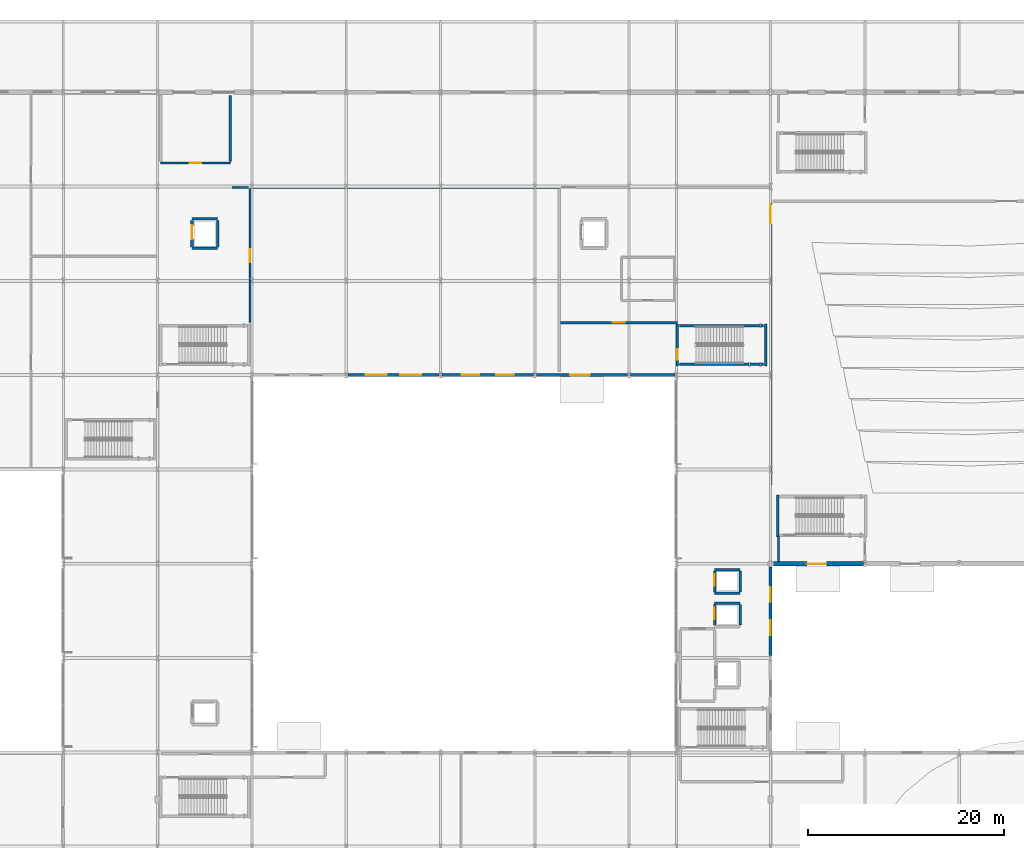
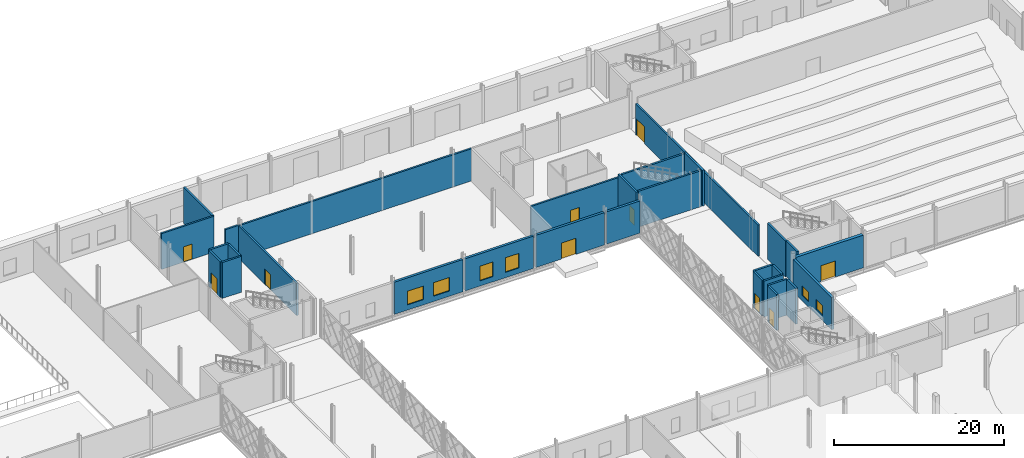
# One storey, part 56 of 84: 30 walls, 10 doors, 6 windows, 16 openings.
"""IFC4 building model written with IfcOpenShell, lengths in metres."""

from ifc_helpers import new_model, si_unit, direction, frame, frame_2d, origin, place, context, subcontext, project, spatial, rectangle, extrude, material, layer, layer_set, type_object, element, fill, save


model = new_model("IFC4")

# Units and contexts
model_context = context("Model", 3, precision=1e-05, world=origin(), true_north=direction((0.0, 1.0)))
body_context = subcontext(model_context, "Body", "Model", "MODEL_VIEW")
ifc_project = project(units=[si_unit("LENGTHUNIT", "METRE"), si_unit("AREAUNIT", "SQUARE_METRE"), si_unit("VOLUMEUNIT", "CUBIC_METRE"), si_unit("PLANEANGLEUNIT", "RADIAN"), si_unit("MASSUNIT", "GRAM", prefix="KILO")], contexts=[model_context])

# Site, building, storey
site_placement = place(None, origin())
site = spatial("IfcSite", under=ifc_project, at=site_placement, CompositionType="ELEMENT")
building_placement = place(site_placement, origin())
building = spatial("IfcBuilding", under=site, at=building_placement, Name="Zevrakil Square Congress Hotel", CompositionType="ELEMENT")
storey_placement = place(building_placement, origin())
storey = spatial("IfcBuildingStorey", under=building, at=storey_placement, Name="L01", CompositionType="ELEMENT", Elevation=0.0)

# Wall, opening, door
ifc_material_1 = material(Name="Concrete C35/45", Category="concrete")
ifc_layer_1 = layer(ifc_material_1, 0.239990234375)
ifc_layer_set_1 = layer_set([ifc_layer_1], Name="Concrete C35/45")
wall_type_1 = type_object("IfcWallType", Name="WAL-COMP-240", PredefinedType="SOLIDWALL", material=ifc_layer_set_1)
wall_1_placement = place(storey_placement, frame((55.5, 105.60009765625, 0.0), z_axis=(0.0, 0.0, 1.0), x_axis=(1.0, 0.0, 0.0)))
wall_1 = element("IfcWall", 1, at=wall_1_placement, inside=storey, type_object=wall_type_1, Name="L01 interior partition PW-L01-0121", PredefinedType="SOLIDWALL", context=body_context, shape_type="SweptSolid", body=[
    extrude(rectangle(XDim=7.10009765625, YDim=0.239990234375, at=frame_2d((3.550048828125, 0.0))), origin(), (0.0, 0.0, 1.0), 5.139892578125),
])
opening_1_placement = place(wall_1_placement, frame((2.949951171875, 0.0, 0.0)))
opening_1 = element("IfcOpeningElement", 2, at=opening_1_placement, cuts=wall_1, Name="Opening FD90", PredefinedType="OPENING", context=body_context, shape_type="SweptSolid", body=[
    extrude(rectangle(XDim=1.199951171875, YDim=2.199951171875, at=frame_2d((0.60009765625, 1.10009765625))), frame((0.0, 0.1298828125, 0.0), z_axis=(0.0, -1.0, 0.0), x_axis=(1.0, 0.0, 0.0)), (0.0, 0.0, 1.0), 0.260009765625),
])
ifc_material_2 = material(Name="Steel S355 Fire-Rated Door", Category="steel")
door_type_1 = type_object("IfcDoorType", Name="DOR-STAIR-FD90-120", OperationType="NOTDEFINED", PredefinedType="DOOR", material=ifc_material_2)
door_1_placement = place(opening_1_placement, origin())
door_1 = element("IfcDoor", 3, at=door_1_placement, inside=storey, type_object=door_type_1, Name="L01 interior door 44", OperationType="SINGLE_SWING_RIGHT", OverallHeight=2.199951171875, OverallWidth=1.199951171875, PredefinedType="DOOR", context=body_context, shape_type="SweptSolid", body=[
    extrude(rectangle(XDim=1.199951171875, YDim=2.199951171875, at=frame_2d((0.60009765625, 1.10009765625))), frame((0.0, 0.02490234375, 0.0), z_axis=(0.0, -1.0, 0.0), x_axis=(1.0, 0.0, 0.0)), (0.0, 0.0, 1.0), 0.050048828125),
])
fill(opening_1, door_1)

# Wall
wall_2_placement = place(storey_placement, frame((62.60009765625, 105.72509765625, 0.0), z_axis=(0.0, 0.0, 1.0), x_axis=(0.0, 1.0, 0.0)))
element("IfcWall", 4, at=wall_2_placement, inside=storey, type_object=wall_type_1, Name="L01 interior partition PW-L01-0123", PredefinedType="SOLIDWALL", context=body_context, shape_type="SweptSolid", body=[
    extrude(rectangle(XDim=6.72998046875, YDim=0.239990234375, at=frame_2d((3.364990234375, 0.0))), origin(), (0.0, 0.0, 1.0), 5.139892578125),
])

# Wall, opening, door
wall_3_placement = place(storey_placement, frame((117.60009765625, 72.800048828125, 0.0), z_axis=(0.0, 0.0, 1.0), x_axis=(0.0, 1.0, 0.0)))
wall_3 = element("IfcWall", 5, at=wall_3_placement, inside=storey, type_object=wall_type_1, Name="L01 interior partition PW-L01-0125", PredefinedType="SOLIDWALL", context=body_context, shape_type="SweptSolid", body=[
    extrude(rectangle(XDim=28.75, YDim=0.239990234375, at=frame_2d((14.375, 0.0))), origin(), (0.0, 0.0, 1.0), 4.47509765625),
])
opening_2_placement = place(wall_3_placement, frame((26.590087890625, 0.0, 0.0)))
opening_2 = element("IfcOpeningElement", 6, at=opening_2_placement, cuts=wall_3, Name="Opening ID-05", PredefinedType="OPENING", context=body_context, shape_type="SweptSolid", body=[
    extrude(rectangle(XDim=2.0, YDim=2.39990234375, at=frame_2d((1.0, 1.199951171875))), frame((0.0, 0.1298828125, 0.0), z_axis=(0.0, -1.0, 0.0), x_axis=(1.0, 0.0, 0.0)), (0.0, 0.0, 1.0), 0.260009765625),
])
ifc_material_3 = material(Name="Assembly Hall Double Acoustic Door")
door_type_2 = type_object("IfcDoorType", Name="DOR-HALL-200", OperationType="NOTDEFINED", PredefinedType="DOOR", material=ifc_material_3)
door_2_placement = place(opening_2_placement, origin())
door_2 = element("IfcDoor", 7, at=door_2_placement, inside=storey, type_object=door_type_2, Name="L01 interior door 46", OperationType="DOUBLE_DOOR_SINGLE_SWING", OverallHeight=2.39990234375, OverallWidth=2.0, PredefinedType="DOOR", context=body_context, shape_type="SweptSolid", body=[
    extrude(rectangle(XDim=2.0, YDim=2.39990234375, at=frame_2d((1.0, 1.199951171875))), frame((0.0, 0.02490234375, 0.0), z_axis=(0.0, -1.0, 0.0), x_axis=(1.0, 0.0, 0.0)), (0.0, 0.0, 1.0), 0.050048828125),
])
fill(opening_2, door_2)

# Wall
wall_4_placement = place(storey_placement, frame((64.60009765625, 103.10009765625, 0.0), z_axis=(0.0, 0.0, 1.0), x_axis=(1.0, 0.0, 0.0)))
element("IfcWall", 8, at=wall_4_placement, inside=storey, type_object=wall_type_1, Name="L01 interior partition PW-L01-0141", PredefinedType="SOLIDWALL", context=body_context, shape_type="SweptSolid", body=[
    extrude(rectangle(XDim=31.5, YDim=0.239990234375, at=frame_2d((15.75, 0.0))), origin(), (0.0, 0.0, 1.0), 4.625),
])

# Wall, opening, door
wall_5_placement = place(storey_placement, frame((64.60009765625, 89.35009765625, 0.0), z_axis=(0.0, 0.0, 1.0), x_axis=(0.0, 1.0, 0.0)))
wall_5 = element("IfcWall", 9, at=wall_5_placement, inside=storey, type_object=wall_type_1, Name="L01 interior partition PW-L01-0143", PredefinedType="SOLIDWALL", context=body_context, shape_type="SweptSolid", body=[
    extrude(rectangle(XDim=13.625, YDim=0.239990234375, at=frame_2d((6.8125, 0.0))), origin(), (0.0, 0.0, 1.0), 4.625),
])
opening_3_placement = place(wall_5_placement, frame((6.16259765625, 0.0, 0.0)))
opening_3 = element("IfcOpeningElement", 10, at=opening_3_placement, cuts=wall_5, Name="Opening ID-08", PredefinedType="OPENING", context=body_context, shape_type="SweptSolid", body=[
    extrude(rectangle(XDim=1.300048828125, YDim=2.199951171875, at=frame_2d((0.64990234375, 1.10009765625))), frame((0.0, 0.1298828125, 0.0), z_axis=(0.0, -1.0, 0.0), x_axis=(1.0, 0.0, 0.0)), (0.0, 0.0, 1.0), 0.260009765625),
])
ifc_material_4 = material(Name="Service Corridor Leaf-and-Half Door")
door_type_3 = type_object("IfcDoorType", Name="DOR-BOH-130", OperationType="NOTDEFINED", PredefinedType="DOOR", material=ifc_material_4)
door_3_placement = place(opening_3_placement, origin())
door_3 = element("IfcDoor", 11, at=door_3_placement, inside=storey, type_object=door_type_3, Name="L01 interior door 56", OperationType="SINGLE_SWING_RIGHT", OverallHeight=2.199951171875, OverallWidth=1.300048828125, PredefinedType="DOOR", context=body_context, shape_type="SweptSolid", body=[
    extrude(rectangle(XDim=1.300048828125, YDim=2.199951171875, at=frame_2d((0.64990234375, 1.10009765625))), frame((0.0, 0.02490234375, 0.0), z_axis=(0.0, -1.0, 0.0), x_axis=(1.0, 0.0, 0.0)), (0.0, 0.0, 1.0), 0.050048828125),
])
fill(opening_3, door_3)

# Walls
wall_6_placement = place(storey_placement, frame((62.75, 103.10009765625, 0.0), z_axis=(0.0, 0.0, 1.0), x_axis=(1.0, 0.0, 0.0)))
element("IfcWall", 12, at=wall_6_placement, inside=storey, type_object=wall_type_1, Name="L01 interior partition PW-L01-0144", PredefinedType="SOLIDWALL", context=body_context, shape_type="SweptSolid", body=[
    extrude(rectangle(XDim=1.699951171875, YDim=0.239990234375, at=frame_2d((0.85009765625, 0.0))), origin(), (0.0, 0.0, 1.0), 4.68505859375),
])
wall_7_placement = place(storey_placement, frame((118.39990234375, 65.0, 0.0), z_axis=(0.0, 0.0, 1.0), x_axis=(0.0, 1.0, 0.0)))
element("IfcWall", 13, at=wall_7_placement, inside=storey, type_object=wall_type_1, Name="L01 interior partition PW-L01-0154", PredefinedType="SOLIDWALL", context=body_context, shape_type="SweptSolid", body=[
    extrude(rectangle(XDim=2.64990234375, YDim=0.239990234375, at=frame_2d((1.324951171875, 0.0))), origin(), (0.0, 0.0, 1.0), 5.139892578125),
])

# Wall, opening, door
wall_8_placement = place(storey_placement, frame((96.199951171875, 89.35009765625, 0.0), z_axis=(0.0, 0.0, 1.0), x_axis=(1.0, 0.0, 0.0)))
wall_8 = element("IfcWall", 14, at=wall_8_placement, inside=storey, type_object=wall_type_1, Name="L01 interior partition PW-L01-0163", PredefinedType="SOLIDWALL", context=body_context, shape_type="SweptSolid", body=[
    extrude(rectangle(XDim=11.900146484375, YDim=0.239990234375, at=frame_2d((5.9501953125, 0.0))), origin(), (0.0, 0.0, 1.0), 4.625),
])
opening_4_placement = place(wall_8_placement, frame((5.35009765625, 0.0, 0.0)))
opening_4 = element("IfcOpeningElement", 15, at=opening_4_placement, cuts=wall_8, Name="Opening FD90", PredefinedType="OPENING", context=body_context, shape_type="SweptSolid", body=[
    extrude(rectangle(XDim=1.199951171875, YDim=2.199951171875, at=frame_2d((0.60009765625, 1.10009765625))), frame((0.0, 0.1298828125, 0.0), z_axis=(0.0, -1.0, 0.0), x_axis=(1.0, 0.0, 0.0)), (0.0, 0.0, 1.0), 0.260009765625),
])
door_4_placement = place(opening_4_placement, origin())
door_4 = element("IfcDoor", 16, at=door_4_placement, inside=storey, type_object=door_type_1, Name="L01 interior door 67", OperationType="SINGLE_SWING_LEFT", OverallHeight=2.199951171875, OverallWidth=1.199951171875, PredefinedType="DOOR", context=body_context, shape_type="SweptSolid", body=[
    extrude(rectangle(XDim=1.199951171875, YDim=2.199951171875, at=frame_2d((0.60009765625, 1.10009765625))), frame((0.0, 0.02490234375, 0.0), z_axis=(0.0, -1.0, 0.0), x_axis=(1.0, 0.0, 0.0)), (0.0, 0.0, 1.0), 0.050048828125),
])
fill(opening_4, door_4)

# Wall, openings, windows
ifc_material_5 = material(Name="Precast concrete C40/50", Category="concrete")
ifc_layer_2 = layer(ifc_material_5, 0.320068359375)
ifc_layer_set_2 = layer_set([ifc_layer_2], Name="Precast concrete C40/50")
wall_type_2 = type_object("IfcWallType", Name="WAL-EXT-GRC-320", PredefinedType="SOLIDWALL", material=ifc_layer_set_2)
wall_9_placement = place(storey_placement, frame((74.553955078125, 84.0, 0.0), z_axis=(0.0, 0.0, 1.0), x_axis=(1.0, 0.0, 0.0)))
wall_9 = element("IfcWall", 17, at=wall_9_placement, inside=storey, type_object=wall_type_2, Name="L01 exterior GRC wall EW-L01-0086", PredefinedType="SOLIDWALL", context=body_context, shape_type="SweptSolid", body=[
    extrude(rectangle(XDim=9.2919921875, YDim=0.320068359375, at=frame_2d((4.64599609375, 0.0))), origin(), (0.0, 0.0, 1.0), 4.625),
])
opening_5_placement = place(wall_9_placement, frame((1.822998046875, 0.0, 0.75)))
opening_5 = element("IfcOpeningElement", 18, at=opening_5_placement, cuts=wall_9, Name="Opening WN-29", PredefinedType="OPENING", context=body_context, shape_type="SweptSolid", body=[
    extrude(rectangle(XDim=2.14990234375, YDim=1.949951171875, at=frame_2d((1.074951171875, 0.97509765625))), frame((0.0, 0.169921875, 0.0), z_axis=(0.0, -1.0, 0.0), x_axis=(1.0, 0.0, 0.0)), (0.0, 0.0, 1.0), 0.340087890625),
])
opening_6_placement = place(wall_9_placement, frame((5.319091796875, 0.0, 0.75)))
opening_6 = element("IfcOpeningElement", 19, at=opening_6_placement, cuts=wall_9, Name="Opening WN-29", PredefinedType="OPENING", context=body_context, shape_type="SweptSolid", body=[
    extrude(rectangle(XDim=2.14990234375, YDim=1.949951171875, at=frame_2d((1.074951171875, 0.97509765625))), frame((0.0, 0.169921875, 0.0), z_axis=(0.0, -1.0, 0.0), x_axis=(1.0, 0.0, 0.0)), (0.0, 0.0, 1.0), 0.340087890625),
])
ifc_material_6 = material(Name="Low-E Solar Control Double Glazing", Category="glass")
window_type_1 = type_object("IfcWindowType", Name="WIN-EXT-29", PartitioningType="SINGLE_PANEL", PredefinedType="WINDOW", material=ifc_material_6)
window_1_placement = place(opening_5_placement, origin())
window_1 = element("IfcWindow", 20, at=window_1_placement, inside=storey, type_object=window_type_1, Name="L01 low-E solar window 73", OverallHeight=1.949951171875, OverallWidth=2.14990234375, PartitioningType="SINGLE_PANEL", PredefinedType="WINDOW", context=body_context, shape_type="SweptSolid", body=[
    extrude(rectangle(XDim=2.14990234375, YDim=1.949951171875, at=frame_2d((1.074951171875, 0.97509765625))), frame((0.0, 0.030029296875, 0.0), z_axis=(0.0, -1.0, 0.0), x_axis=(1.0, 0.0, 0.0)), (0.0, 0.0, 1.0), 0.06005859375),
])
fill(opening_5, window_1)
window_2_placement = place(opening_6_placement, origin())
window_2 = element("IfcWindow", 21, at=window_2_placement, inside=storey, type_object=window_type_1, Name="L01 low-E solar window 74", OverallHeight=1.949951171875, OverallWidth=2.14990234375, PartitioningType="SINGLE_PANEL", PredefinedType="WINDOW", context=body_context, shape_type="SweptSolid", body=[
    extrude(rectangle(XDim=2.14990234375, YDim=1.949951171875, at=frame_2d((1.074951171875, 0.97509765625))), frame((0.0, 0.030029296875, 0.0), z_axis=(0.0, -1.0, 0.0), x_axis=(1.0, 0.0, 0.0)), (0.0, 0.0, 1.0), 0.06005859375),
])
fill(opening_6, window_2)

wall_10_placement = place(storey_placement, frame((84.154052734375, 84.0, 0.0), z_axis=(0.0, 0.0, 1.0), x_axis=(1.0, 0.0, 0.0)))
wall_10 = element("IfcWall", 22, at=wall_10_placement, inside=storey, type_object=wall_type_2, Name="L01 exterior GRC wall EW-L01-0088", PredefinedType="SOLIDWALL", context=body_context, shape_type="SweptSolid", body=[
    extrude(rectangle(XDim=9.2919921875, YDim=0.320068359375, at=frame_2d((4.64599609375, 0.0))), origin(), (0.0, 0.0, 1.0), 4.625),
])
opening_7_placement = place(wall_10_placement, frame((1.998046875, 0.0, 0.75)))
opening_7 = element("IfcOpeningElement", 23, at=opening_7_placement, cuts=wall_10, Name="Opening WN-33", PredefinedType="OPENING", context=body_context, shape_type="SweptSolid", body=[
    extrude(rectangle(XDim=1.800048828125, YDim=2.10009765625, at=frame_2d((0.89990234375, 1.050048828125))), frame((0.0, 0.169921875, 0.0), z_axis=(0.0, -1.0, 0.0), x_axis=(1.0, 0.0, 0.0)), (0.0, 0.0, 1.0), 0.340087890625),
])
opening_8_placement = place(wall_10_placement, frame((5.493896484375, 0.0, 0.75)))
opening_8 = element("IfcOpeningElement", 24, at=opening_8_placement, cuts=wall_10, Name="Opening WN-33", PredefinedType="OPENING", context=body_context, shape_type="SweptSolid", body=[
    extrude(rectangle(XDim=1.800048828125, YDim=2.10009765625, at=frame_2d((0.89990234375, 1.050048828125))), frame((0.0, 0.169921875, 0.0), z_axis=(0.0, -1.0, 0.0), x_axis=(1.0, 0.0, 0.0)), (0.0, 0.0, 1.0), 0.340087890625),
])
ifc_material_7 = material(Name="Low-E Solar Control Double Glazing", Category="glass")
window_type_2 = type_object("IfcWindowType", Name="WIN-EXT-33", PartitioningType="SINGLE_PANEL", PredefinedType="WINDOW", material=ifc_material_7)
window_3_placement = place(opening_7_placement, origin())
window_3 = element("IfcWindow", 25, at=window_3_placement, inside=storey, type_object=window_type_2, Name="L01 low-E solar window 77", OverallHeight=2.10009765625, OverallWidth=1.800048828125, PartitioningType="SINGLE_PANEL", PredefinedType="WINDOW", context=body_context, shape_type="SweptSolid", body=[
    extrude(rectangle(XDim=1.800048828125, YDim=2.10009765625, at=frame_2d((0.89990234375, 1.050048828125))), frame((0.0, 0.030029296875, 0.0), z_axis=(0.0, -1.0, 0.0), x_axis=(1.0, 0.0, 0.0)), (0.0, 0.0, 1.0), 0.06005859375),
])
fill(opening_7, window_3)
window_4_placement = place(opening_8_placement, origin())
window_4 = element("IfcWindow", 26, at=window_4_placement, inside=storey, type_object=window_type_2, Name="L01 low-E solar window 78", OverallHeight=2.10009765625, OverallWidth=1.800048828125, PartitioningType="SINGLE_PANEL", PredefinedType="WINDOW", context=body_context, shape_type="SweptSolid", body=[
    extrude(rectangle(XDim=1.800048828125, YDim=2.10009765625, at=frame_2d((0.89990234375, 1.050048828125))), frame((0.0, 0.030029296875, 0.0), z_axis=(0.0, -1.0, 0.0), x_axis=(1.0, 0.0, 0.0)), (0.0, 0.0, 1.0), 0.06005859375),
])
fill(opening_8, window_4)

# Wall, opening, door
wall_11_placement = place(storey_placement, frame((93.75390625, 84.0, 0.0), z_axis=(0.0, 0.0, 1.0), x_axis=(1.0, 0.0, 0.0)))
wall_11 = element("IfcWall", 27, at=wall_11_placement, inside=storey, type_object=wall_type_2, Name="L01 exterior GRC wall EW-L01-0090", PredefinedType="SOLIDWALL", context=body_context, shape_type="SweptSolid", body=[
    extrude(rectangle(XDim=9.2919921875, YDim=0.320068359375, at=frame_2d((4.64599609375, 0.0))), origin(), (0.0, 0.0, 1.0), 4.625),
])
opening_9_placement = place(wall_11_placement, frame((3.446044921875, 0.0, 0.0)))
opening_9 = element("IfcOpeningElement", 28, at=opening_9_placement, cuts=wall_11, Name="Opening E48", PredefinedType="OPENING", context=body_context, shape_type="SweptSolid", body=[
    extrude(rectangle(XDim=2.0, YDim=2.300048828125, at=frame_2d((1.0, 1.14990234375))), frame((0.0, 0.169921875, 0.0), z_axis=(0.0, -1.0, 0.0), x_axis=(1.0, 0.0, 0.0)), (0.0, 0.0, 1.0), 0.340087890625),
])
ifc_material_8 = material(Name="Aluminium Thermal-Break Glazed Door", Category="aluminium")
door_type_4 = type_object("IfcDoorType", Name="DOR-EXIT-200", OperationType="NOTDEFINED", PredefinedType="DOOR", material=ifc_material_8)
door_5_placement = place(opening_9_placement, frame((2.0, 0.0, 0.0), z_axis=(0.0, 0.0, 1.0), x_axis=(-1.0, 0.0, 0.0)))
door_5 = element("IfcDoor", 29, at=door_5_placement, inside=storey, type_object=door_type_4, Name="L01 pedestrian final exit door E48", OperationType="DOUBLE_DOOR_SINGLE_SWING", OverallHeight=2.300048828125, OverallWidth=2.0, PredefinedType="DOOR", context=body_context, shape_type="SweptSolid", body=[
    extrude(rectangle(XDim=2.0, YDim=2.300048828125, at=frame_2d((1.0, 1.14990234375))), frame((0.0, 0.02490234375, 0.0), z_axis=(0.0, -1.0, 0.0), x_axis=(1.0, 0.0, 0.0)), (0.0, 0.0, 1.0), 0.050048828125),
])
fill(opening_9, door_5)

# Wall
wall_12_placement = place(storey_placement, frame((103.35400390625, 84.0, 0.0), z_axis=(0.0, 0.0, 1.0), x_axis=(1.0, 0.0, 0.0)))
element("IfcWall", 30, at=wall_12_placement, inside=storey, type_object=wall_type_2, Name="L01 exterior GRC wall EW-L01-0092", PredefinedType="SOLIDWALL", context=body_context, shape_type="SweptSolid", body=[
    extrude(rectangle(XDim=4.491943359375, YDim=0.320068359375, at=frame_2d((2.24609375, 0.0))), origin(), (0.0, 0.0, 1.0), 4.625),
])

# Wall, openings, windows
wall_13_placement = place(storey_placement, frame((117.60009765625, 55.4541015625, 0.0), z_axis=(0.0, 0.0, 1.0), x_axis=(0.0, 1.0, 0.0)))
wall_13 = element("IfcWall", 31, at=wall_13_placement, inside=storey, type_object=wall_type_2, Name="L01 exterior GRC wall EW-L01-0109", PredefinedType="SOLIDWALL", context=body_context, shape_type="SweptSolid", body=[
    extrude(rectangle(XDim=9.036865234375, YDim=0.320068359375, at=frame_2d((4.5185546875, 0.0))), origin(), (0.0, 0.0, 1.0), 4.625),
])
opening_10_placement = place(wall_13_placement, frame((2.084228515625, 0.0, 0.75)))
opening_10 = element("IfcOpeningElement", 32, at=opening_10_placement, cuts=wall_13, Name="Opening WN-03", PredefinedType="OPENING", context=body_context, shape_type="SweptSolid", body=[
    extrude(rectangle(XDim=1.5, YDim=1.39990234375, at=frame_2d((0.75, 0.699951171875))), frame((0.0, 0.169921875, 0.0), z_axis=(0.0, -1.0, 0.0), x_axis=(1.0, 0.0, 0.0)), (0.0, 0.0, 1.0), 0.340087890625),
])
opening_11_placement = place(wall_13_placement, frame((5.45263671875, 0.0, 0.75)))
opening_11 = element("IfcOpeningElement", 33, at=opening_11_placement, cuts=wall_13, Name="Opening WN-03", PredefinedType="OPENING", context=body_context, shape_type="SweptSolid", body=[
    extrude(rectangle(XDim=1.5, YDim=1.39990234375, at=frame_2d((0.75, 0.699951171875))), frame((0.0, 0.169921875, 0.0), z_axis=(0.0, -1.0, 0.0), x_axis=(1.0, 0.0, 0.0)), (0.0, 0.0, 1.0), 0.340087890625),
])
ifc_material_9 = material(Name="Low-E Solar Control Double Glazing", Category="glass")
window_type_3 = type_object("IfcWindowType", Name="WIN-EXT-03", PartitioningType="SINGLE_PANEL", PredefinedType="WINDOW", material=ifc_material_9)
window_5_placement = place(opening_10_placement, origin())
window_5 = element("IfcWindow", 34, at=window_5_placement, inside=storey, type_object=window_type_3, Name="L01 low-E solar window 91", OverallHeight=1.39990234375, OverallWidth=1.5, PartitioningType="SINGLE_PANEL", PredefinedType="WINDOW", context=body_context, shape_type="SweptSolid", body=[
    extrude(rectangle(XDim=1.5, YDim=1.39990234375, at=frame_2d((0.75, 0.699951171875))), frame((0.0, 0.030029296875, 0.0), z_axis=(0.0, -1.0, 0.0), x_axis=(1.0, 0.0, 0.0)), (0.0, 0.0, 1.0), 0.06005859375),
])
fill(opening_10, window_5)
window_6_placement = place(opening_11_placement, origin())
window_6 = element("IfcWindow", 35, at=window_6_placement, inside=storey, type_object=window_type_3, Name="L01 low-E solar window 92", OverallHeight=1.39990234375, OverallWidth=1.5, PartitioningType="SINGLE_PANEL", PredefinedType="WINDOW", context=body_context, shape_type="SweptSolid", body=[
    extrude(rectangle(XDim=1.5, YDim=1.39990234375, at=frame_2d((0.75, 0.699951171875))), frame((0.0, 0.030029296875, 0.0), z_axis=(0.0, -1.0, 0.0), x_axis=(1.0, 0.0, 0.0)), (0.0, 0.0, 1.0), 0.06005859375),
])
fill(opening_11, window_6)

# Wall, opening, door
ifc_material_10 = material(Name="Precast concrete C40/50", Category="concrete")
ifc_layer_3 = layer(ifc_material_10, 0.419921875)
ifc_layer_set_3 = layer_set([ifc_layer_3], Name="Precast concrete C40/50")
wall_type_3 = type_object("IfcWallType", Name="WAL-EXT-HALL-420", PredefinedType="SOLIDWALL", material=ifc_layer_set_3)
wall_14_placement = place(storey_placement, frame((117.908935546875, 64.800048828125, 0.0), z_axis=(0.0, 0.0, 1.0), x_axis=(1.0, 0.0, 0.0)))
wall_14 = element("IfcWall", 36, at=wall_14_placement, inside=storey, type_object=wall_type_3, Name="L01 exterior GRC wall EW-L01-0078", PredefinedType="SOLIDWALL", context=body_context, shape_type="SweptSolid", body=[
    extrude(rectangle(XDim=9.136962890625, YDim=0.419921875, at=frame_2d((4.568359375, 0.0))), origin(), (0.0, 0.0, 1.0), 4.68505859375),
])
opening_12_placement = place(wall_14_placement, frame((3.368408203125, 0.0, 0.0)))
opening_12 = element("IfcOpeningElement", 37, at=opening_12_placement, cuts=wall_14, Name="Opening E43", PredefinedType="OPENING", context=body_context, shape_type="SweptSolid", body=[
    extrude(rectangle(XDim=2.0, YDim=2.300048828125, at=frame_2d((1.0, 1.14990234375))), frame((0.0, 0.219970703125, 0.0), z_axis=(0.0, -1.0, 0.0), x_axis=(1.0, 0.0, 0.0)), (0.0, 0.0, 1.0), 0.43994140625),
])
door_6_placement = place(opening_12_placement, frame((2.0, 0.0, 0.0), z_axis=(0.0, 0.0, 1.0), x_axis=(-1.0, 0.0, 0.0)))
door_6 = element("IfcDoor", 38, at=door_6_placement, inside=storey, type_object=door_type_4, Name="L01 pedestrian final exit door E43", OperationType="DOUBLE_DOOR_SINGLE_SWING", OverallHeight=2.300048828125, OverallWidth=2.0, PredefinedType="DOOR", context=body_context, shape_type="SweptSolid", body=[
    extrude(rectangle(XDim=2.0, YDim=2.300048828125, at=frame_2d((1.0, 1.14990234375))), frame((0.0, 0.02490234375, 0.0), z_axis=(0.0, -1.0, 0.0), x_axis=(1.0, 0.0, 0.0)), (0.0, 0.0, 1.0), 0.050048828125),
])
fill(opening_12, door_6)

ifc_material_11 = material(Name="Concrete C40/50", Category="concrete")
ifc_layer_4 = layer(ifc_material_11, 0.260009765625)
ifc_layer_set_4 = layer_set([ifc_layer_4], Name="Concrete C40/50")
wall_type_4 = type_object("IfcWallType", Name="WAL-SHAFT-260", PredefinedType="SHEAR", material=ifc_layer_set_4)
wall_15_placement = place(storey_placement, frame((108.10498046875, 84.93994140625, 0.0), z_axis=(0.0, 0.0, 1.0), x_axis=(0.0, 1.0, 0.0)))
wall_15 = element("IfcWall", 39, at=wall_15_placement, inside=storey, type_object=wall_type_4, Name="L01 ST06 stair shaft W wall", PredefinedType="SHEAR", context=body_context, shape_type="SweptSolid", body=[
    extrude(rectangle(XDim=4.27001953125, YDim=0.260009765625, at=frame_2d((2.135009765625, 0.0))), origin(), (0.0, 0.0, 1.0), 5.139892578125),
])
opening_13_placement = place(wall_15_placement, frame((0.610107421875, 0.0, 0.0)))
opening_13 = element("IfcOpeningElement", 40, at=opening_13_placement, cuts=wall_15, Name="Opening SD-ST06", PredefinedType="OPENING", context=body_context, shape_type="SweptSolid", body=[
    extrude(rectangle(XDim=1.10009765625, YDim=2.199951171875, at=frame_2d((0.550048828125, 1.10009765625))), frame((0.0, 0.14013671875, 0.0), z_axis=(0.0, -1.0, 0.0), x_axis=(1.0, 0.0, 0.0)), (0.0, 0.0, 1.0), 0.280029296875),
])
ifc_material_12 = material(Name="Steel S355 Fire-Rated Door", Category="steel")
door_type_5 = type_object("IfcDoorType", Name="DOR-STAIR-FD90-110", OperationType="NOTDEFINED", PredefinedType="DOOR", material=ifc_material_12)
door_7_placement = place(opening_13_placement, origin())
door_7 = element("IfcDoor", 41, at=door_7_placement, inside=storey, type_object=door_type_5, Name="L01 ST06 protected stair fire door", OperationType="SINGLE_SWING_LEFT", OverallHeight=2.199951171875, OverallWidth=1.10009765625, PredefinedType="DOOR", context=body_context, shape_type="SweptSolid", body=[
    extrude(rectangle(XDim=1.10009765625, YDim=2.199951171875, at=frame_2d((0.550048828125, 1.10009765625))), frame((0.0, 0.02490234375, 0.0), z_axis=(0.0, -1.0, 0.0), x_axis=(1.0, 0.0, 0.0)), (0.0, 0.0, 1.0), 0.050048828125),
])
fill(opening_13, door_7)

# Walls
wall_16_placement = place(storey_placement, frame((117.094970703125, 84.93994140625, 0.0), z_axis=(0.0, 0.0, 1.0), x_axis=(0.0, 1.0, 0.0)))
element("IfcWall", 42, at=wall_16_placement, inside=storey, type_object=wall_type_4, Name="L01 ST06 stair shaft E wall", PredefinedType="SHEAR", context=body_context, shape_type="SweptSolid", body=[
    extrude(rectangle(XDim=4.27001953125, YDim=0.260009765625, at=frame_2d((2.135009765625, 0.0))), origin(), (0.0, 0.0, 1.0), 5.139892578125),
])
for number, where, z_axis, x_axis, name in (
    (43, (108.340087890625, 85.10498046875, 0.0), (0.0, 0.0, 1.0), (1.0, 0.0, 0.0), "L01 ST06 stair shaft S wall"),
    (44, (108.340087890625, 89.044921875, 0.0), (0.0, 0.0, 1.0), (1.0, 0.0, 0.0), "L01 ST06 stair shaft N wall"),
):
    element("IfcWall", number, at=place(storey_placement, frame(where, z_axis=z_axis, x_axis=x_axis)), inside=storey, type_object=wall_type_4, Name=name, PredefinedType="SHEAR", context=body_context, shape_type="SweptSolid", body=[
        extrude(rectangle(XDim=8.52001953125, YDim=0.260009765625, at=frame_2d((4.260009765625, 0.0))), origin(), (0.0, 0.0, 1.0), 5.139892578125),
    ])
wall_17_placement = place(storey_placement, frame((118.304931640625, 67.5400390625, 0.0), z_axis=(0.0, 0.0, 1.0), x_axis=(0.0, 1.0, 0.0)))
element("IfcWall", 45, at=wall_17_placement, inside=storey, type_object=wall_type_4, Name="L01 ST08 stair shaft W wall", PredefinedType="SHEAR", context=body_context, shape_type="SweptSolid", body=[
    extrude(rectangle(XDim=4.27001953125, YDim=0.260009765625, at=frame_2d((2.135009765625, 0.0))), origin(), (0.0, 0.0, 1.0), 5.139892578125),
])
wall_18_placement = place(storey_placement, frame((111.89990234375, 60.800048828125, 0.0), z_axis=(0.0, 0.0, 1.0), x_axis=(1.0, 0.0, 0.0)))
element("IfcWall", 46, at=wall_18_placement, inside=storey, type_object=wall_type_4, Name="L01 CL1 lift shaft wall", PredefinedType="SHEAR", context=body_context, shape_type="SweptSolid", body=[
    extrude(rectangle(XDim=2.60009765625, YDim=0.260009765625, at=frame_2d((1.300048828125, 0.0))), origin(), (0.0, 0.0, 1.0), 5.139892578125),
])

# Wall, opening, door
wall_19_placement = place(storey_placement, frame((111.89990234375, 58.5400390625, 0.0), z_axis=(0.0, 0.0, 1.0), x_axis=(0.0, 1.0, 0.0)))
wall_19 = element("IfcWall", 47, at=wall_19_placement, inside=storey, type_object=wall_type_4, Name="L01 CL1 lift shaft wall", PredefinedType="SHEAR", context=body_context, shape_type="SweptSolid", body=[
    extrude(rectangle(XDim=2.119873046875, YDim=0.260009765625, at=frame_2d((1.06005859375, 0.0))), origin(), (0.0, 0.0, 1.0), 5.139892578125),
])
opening_14_placement = place(wall_19_placement, frame((0.60009765625, 0.0, 0.0)))
opening_14 = element("IfcOpeningElement", 48, at=opening_14_placement, cuts=wall_19, Name="Opening LD-CL1", PredefinedType="OPENING", context=body_context, shape_type="SweptSolid", body=[
    extrude(rectangle(XDim=1.199951171875, YDim=2.199951171875, at=frame_2d((0.60009765625, 1.10009765625))), frame((0.0, 0.14013671875, 0.0), z_axis=(0.0, -1.0, 0.0), x_axis=(1.0, 0.0, 0.0)), (0.0, 0.0, 1.0), 0.280029296875),
])
ifc_material_13 = material(Name="Stainless Steel Sliding Lift Landing Door", Category="steel")
door_type_6 = type_object("IfcDoorType", Name="DOR-LIFT-LD120", OperationType="NOTDEFINED", PredefinedType="DOOR", material=ifc_material_13)
door_8_placement = place(opening_14_placement, origin())
door_8 = element("IfcDoor", 49, at=door_8_placement, inside=storey, type_object=door_type_6, Name="L01 CL1 sliding lift landing door", OperationType="SLIDING_TO_RIGHT", OverallHeight=2.199951171875, OverallWidth=1.199951171875, PredefinedType="DOOR", context=body_context, shape_type="SweptSolid", body=[
    extrude(rectangle(XDim=1.199951171875, YDim=2.199951171875, at=frame_2d((0.60009765625, 1.10009765625))), frame((0.0, 0.02490234375, 0.0), z_axis=(0.0, -1.0, 0.0), x_axis=(1.0, 0.0, 0.0)), (0.0, 0.0, 1.0), 0.050048828125),
])
fill(opening_14, door_8)

# Walls
wall_20_placement = place(storey_placement, frame((114.5, 58.5400390625, 0.0), z_axis=(0.0, 0.0, 1.0), x_axis=(0.0, 1.0, 0.0)))
element("IfcWall", 50, at=wall_20_placement, inside=storey, type_object=wall_type_4, Name="L01 CL1 lift shaft wall", PredefinedType="SHEAR", context=body_context, shape_type="SweptSolid", body=[
    extrude(rectangle(XDim=2.119873046875, YDim=0.260009765625, at=frame_2d((1.06005859375, 0.0))), origin(), (0.0, 0.0, 1.0), 5.139892578125),
])
for number, where, z_axis, x_axis, name in (
    (51, (111.89990234375, 61.800048828125, 0.0), (0.0, 0.0, 1.0), (1.0, 0.0, 0.0), "L01 CL2 lift shaft wall"),
    (52, (111.89990234375, 64.199951171875, 0.0), (0.0, 0.0, 1.0), (1.0, 0.0, 0.0), "L01 CL2 lift shaft wall"),
):
    element("IfcWall", number, at=place(storey_placement, frame(where, z_axis=z_axis, x_axis=x_axis)), inside=storey, type_object=wall_type_4, Name=name, PredefinedType="SHEAR", context=body_context, shape_type="SweptSolid", body=[
        extrude(rectangle(XDim=2.60009765625, YDim=0.260009765625, at=frame_2d((1.300048828125, 0.0))), origin(), (0.0, 0.0, 1.0), 5.139892578125),
    ])

# Wall, opening, door
wall_21_placement = place(storey_placement, frame((111.89990234375, 61.93994140625, 0.0), z_axis=(0.0, 0.0, 1.0), x_axis=(0.0, 1.0, 0.0)))
wall_21 = element("IfcWall", 53, at=wall_21_placement, inside=storey, type_object=wall_type_4, Name="L01 CL2 lift shaft wall", PredefinedType="SHEAR", context=body_context, shape_type="SweptSolid", body=[
    extrude(rectangle(XDim=2.1201171875, YDim=0.260009765625, at=frame_2d((1.06005859375, 0.0))), origin(), (0.0, 0.0, 1.0), 5.139892578125),
])
opening_15_placement = place(wall_21_placement, frame((0.60009765625, 0.0, 0.0)))
opening_15 = element("IfcOpeningElement", 54, at=opening_15_placement, cuts=wall_21, Name="Opening LD-CL2", PredefinedType="OPENING", context=body_context, shape_type="SweptSolid", body=[
    extrude(rectangle(XDim=1.199951171875, YDim=2.199951171875, at=frame_2d((0.60009765625, 1.10009765625))), frame((0.0, 0.14013671875, 0.0), z_axis=(0.0, -1.0, 0.0), x_axis=(1.0, 0.0, 0.0)), (0.0, 0.0, 1.0), 0.280029296875),
])
door_9_placement = place(opening_15_placement, origin())
door_9 = element("IfcDoor", 55, at=door_9_placement, inside=storey, type_object=door_type_6, Name="L01 CL2 sliding lift landing door", OperationType="SLIDING_TO_LEFT", OverallHeight=2.199951171875, OverallWidth=1.199951171875, PredefinedType="DOOR", context=body_context, shape_type="SweptSolid", body=[
    extrude(rectangle(XDim=1.199951171875, YDim=2.199951171875, at=frame_2d((0.60009765625, 1.10009765625))), frame((0.0, 0.02490234375, 0.0), z_axis=(0.0, -1.0, 0.0), x_axis=(1.0, 0.0, 0.0)), (0.0, 0.0, 1.0), 0.050048828125),
])
fill(opening_15, door_9)

# Walls
wall_22_placement = place(storey_placement, frame((114.5, 61.93994140625, 0.0), z_axis=(0.0, 0.0, 1.0), x_axis=(0.0, 1.0, 0.0)))
element("IfcWall", 56, at=wall_22_placement, inside=storey, type_object=wall_type_4, Name="L01 CL2 lift shaft wall", PredefinedType="SHEAR", context=body_context, shape_type="SweptSolid", body=[
    extrude(rectangle(XDim=2.1201171875, YDim=0.260009765625, at=frame_2d((1.06005859375, 0.0))), origin(), (0.0, 0.0, 1.0), 5.139892578125),
])
for number, where, z_axis, x_axis, name in (
    (57, (58.699951171875, 96.89990234375, 0.0), (0.0, 0.0, 1.0), (1.0, 0.0, 0.0), "L01 SL2 lift shaft wall"),
    (58, (58.699951171875, 99.89990234375, 0.0), (0.0, 0.0, 1.0), (1.0, 0.0, 0.0), "L01 SL2 lift shaft wall"),
):
    element("IfcWall", number, at=place(storey_placement, frame(where, z_axis=z_axis, x_axis=x_axis)), inside=storey, type_object=wall_type_4, Name=name, PredefinedType="SHEAR", context=body_context, shape_type="SweptSolid", body=[
        extrude(rectangle(XDim=2.60009765625, YDim=0.260009765625, at=frame_2d((1.300048828125, 0.0))), origin(), (0.0, 0.0, 1.0), 5.139892578125),
    ])

# Wall, opening, door
wall_23_placement = place(storey_placement, frame((58.699951171875, 97.0400390625, 0.0), z_axis=(0.0, 0.0, 1.0), x_axis=(0.0, 1.0, 0.0)))
wall_23 = element("IfcWall", 59, at=wall_23_placement, inside=storey, type_object=wall_type_4, Name="L01 SL2 lift shaft wall", PredefinedType="SHEAR", context=body_context, shape_type="SweptSolid", body=[
    extrude(rectangle(XDim=2.719970703125, YDim=0.260009765625, at=frame_2d((1.35986328125, 0.0))), origin(), (0.0, 0.0, 1.0), 5.139892578125),
])
opening_16_placement = place(wall_23_placement, frame((0.800048828125, 0.0, 0.0)))
opening_16 = element("IfcOpeningElement", 60, at=opening_16_placement, cuts=wall_23, Name="Opening LD-SL2", PredefinedType="OPENING", context=body_context, shape_type="SweptSolid", body=[
    extrude(rectangle(XDim=1.39990234375, YDim=2.300048828125, at=frame_2d((0.699951171875, 1.14990234375))), frame((0.0, 0.14013671875, 0.0), z_axis=(0.0, -1.0, 0.0), x_axis=(1.0, 0.0, 0.0)), (0.0, 0.0, 1.0), 0.280029296875),
])
ifc_material_14 = material(Name="Goods Service Sliding Landing Door")
door_type_7 = type_object("IfcDoorType", Name="DOR-LIFT-LD140", OperationType="NOTDEFINED", PredefinedType="DOOR", material=ifc_material_14)
door_10_placement = place(opening_16_placement, origin())
door_10 = element("IfcDoor", 61, at=door_10_placement, inside=storey, type_object=door_type_7, Name="L01 SL2 sliding lift landing door", OperationType="SLIDING_TO_RIGHT", OverallHeight=2.300048828125, OverallWidth=1.39990234375, PredefinedType="DOOR", context=body_context, shape_type="SweptSolid", body=[
    extrude(rectangle(XDim=1.39990234375, YDim=2.300048828125, at=frame_2d((0.699951171875, 1.14990234375))), frame((0.0, 0.02490234375, 0.0), z_axis=(0.0, -1.0, 0.0), x_axis=(1.0, 0.0, 0.0)), (0.0, 0.0, 1.0), 0.050048828125),
])
fill(opening_16, door_10)

# Wall
wall_24_placement = place(storey_placement, frame((61.300048828125, 97.0400390625, 0.0), z_axis=(0.0, 0.0, 1.0), x_axis=(0.0, 1.0, 0.0)))
element("IfcWall", 62, at=wall_24_placement, inside=storey, type_object=wall_type_4, Name="L01 SL2 lift shaft wall", PredefinedType="SHEAR", context=body_context, shape_type="SweptSolid", body=[
    extrude(rectangle(XDim=2.719970703125, YDim=0.260009765625, at=frame_2d((1.35986328125, 0.0))), origin(), (0.0, 0.0, 1.0), 5.139892578125),
])

save(model, "model.ifc")
